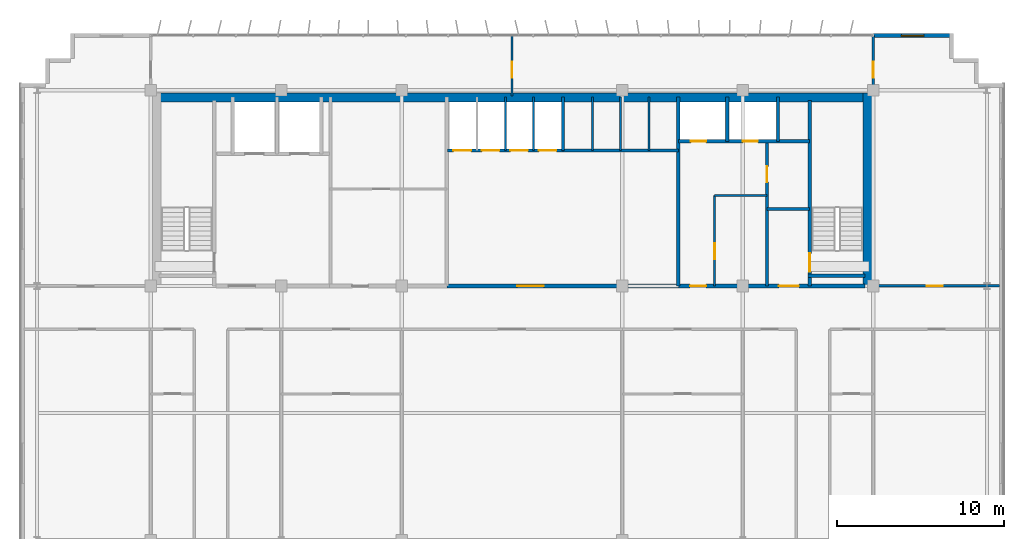
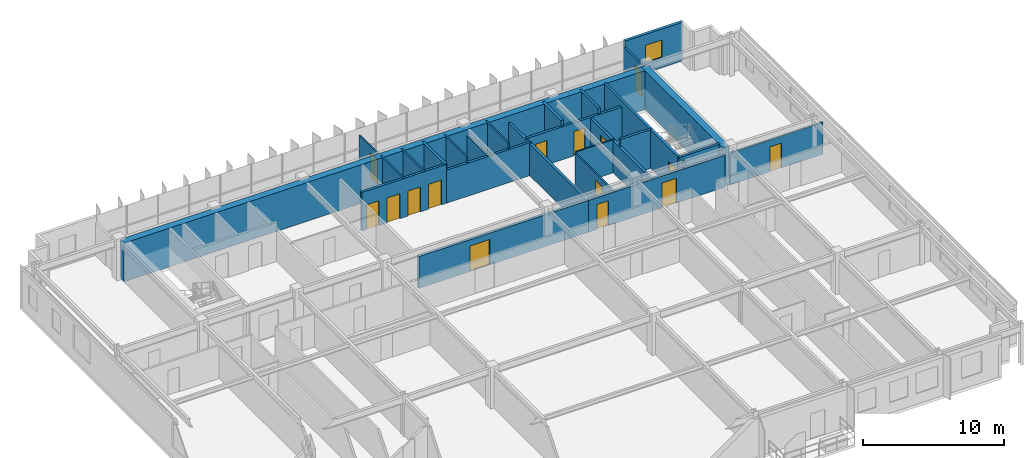
# One storey, part 17 of 20: 26 walls, 15 doors, 1 window, 16 openings.
"""IFC4 building model written with IfcOpenShell, lengths in metres."""

from ifc_helpers import new_model, si_unit, direction, frame, frame_2d, origin, place, context, subcontext, project, spatial, rectangle, extrude, source, transform, mapped, material, layer, layer_set, type_object, element, fill, save


model = new_model("IFC4")

# Units and contexts
model_context = context("Model", 3, precision=1e-05, world=origin(), true_north=direction((0.0, 1.0)))
body_context = subcontext(model_context, "Body", "Model", "MODEL_VIEW")
ifc_project = project(units=[si_unit("LENGTHUNIT", "METRE"), si_unit("AREAUNIT", "SQUARE_METRE"), si_unit("VOLUMEUNIT", "CUBIC_METRE"), si_unit("PLANEANGLEUNIT", "RADIAN"), si_unit("MASSUNIT", "GRAM", prefix="KILO")], contexts=[model_context])

# Site, building, storey
site_placement = place(None, origin())
site = spatial("IfcSite", under=ifc_project, at=site_placement, CompositionType="ELEMENT")
building_placement = place(site_placement, origin())
building = spatial("IfcBuilding", under=site, at=building_placement, Name="Trelvane Seafront Commons", CompositionType="ELEMENT")
storey_placement = place(building_placement, frame((0.0, 0.0, 150.10009765625)))
storey = spatial("IfcBuildingStorey", under=building, at=storey_placement, Name="L39", CompositionType="ELEMENT", Elevation=150.10009765625)

# Wall, opening, window
ifc_material_1 = material(Name="Precast concrete C40/50", Category="concrete")
ifc_layer_1 = layer(ifc_material_1, 0.239990234375, Name="ARCH-WALL-EXT240")
ifc_layer_set_1 = layer_set([ifc_layer_1], Name="Precast concrete C40/50")
wall_type_1 = type_object("IfcWallType", Name="ARCH-WALL-EXT240", PredefinedType="SOLIDWALL", material=ifc_layer_set_1)
wall_1_placement = place(storey_placement, frame((58.800048828125, 48.3701171875, 0.0), z_axis=(0.0, 0.0, 1.0), x_axis=(1.0, 0.0, 0.0)))
wall_1 = element("IfcWall", 1, at=wall_1_placement, inside=storey, type_object=wall_type_1, Name="EW-L39-NE-0759", PredefinedType="SOLIDWALL", context=body_context, shape_type="SweptSolid", body=[
    extrude(rectangle(XDim=4.699951171875, YDim=0.239990234375, at=frame_2d((2.35009765625, 0.0))), origin(), (0.0, 0.0, 1.0), 3.349853515625),
])
opening_1_placement = place(wall_1_placement, frame((1.675048828125, 0.0, 0.89990234375)))
opening_1 = element("IfcOpeningElement", 2, at=opening_1_placement, cuts=wall_1, Name="Opening W09", PredefinedType="OPENING", context=body_context, shape_type="SweptSolid", body=[
    extrude(rectangle(XDim=1.35009765625, YDim=1.5, at=frame_2d((0.675048828125, 0.75))), frame((0.0, 0.1298828125, 0.0), z_axis=(0.0, -1.0, 0.0), x_axis=(1.0, 0.0, 0.0)), (0.0, 0.0, 1.0), 0.260009765625),
])
ifc_material_2 = material(Name="Low-E coastal double glazing", Category="glass")
window_type = type_object("IfcWindowType", Name="ARCH-WIN-W09", PartitioningType="SINGLE_PANEL", PredefinedType="WINDOW", material=ifc_material_2)
shared_shape_1 = source(origin(), body_context, "Body", "SweptSolid", [
    extrude(rectangle(XDim=1.35009765625, YDim=1.5, at=frame_2d((0.675048828125, 0.75))), frame((0.0, 0.030029296875, 0.0), z_axis=(0.0, -1.0, 0.0), x_axis=(1.0, 0.0, 0.0)), (0.0, 0.0, 1.0), 0.06005859375),
])
window_placement = place(opening_1_placement, origin())
window = element("IfcWindow", 3, at=window_placement, inside=storey, type_object=window_type, Name="WIN-L39-00901", OverallHeight=1.5, OverallWidth=1.35009765625, PartitioningType="SINGLE_PANEL", PredefinedType="WINDOW", context=body_context, shape_type="MappedRepresentation", body=[
    mapped(shared_shape_1, transform((0.0, 0.0, 0.0), x_axis=(1.0, 0.0, 0.0), y_axis=(0.0, 1.0, 0.0), z_axis=(0.0, 0.0, 1.0), scale=1.0)),
])
fill(opening_1, window)

# Wall, opening, door
ifc_material_3 = material(Name="Concrete C40/50", Category="concrete")
ifc_layer_2 = layer(ifc_material_3, 0.199951171875, Name="ARCH-WALL-FIRE200")
ifc_layer_set_2 = layer_set([ifc_layer_2], Name="Concrete C40/50")
wall_type_2 = type_object("IfcWallType", Name="ARCH-WALL-FIRE200", PredefinedType="PARTITIONING", material=ifc_layer_set_2)
wall_2_placement = place(storey_placement, frame((52.449951171875, 33.39990234375, 0.0), z_axis=(0.0, 0.0, 1.0), x_axis=(0.0, 1.0, 0.0)))
wall_2 = element("IfcWall", 4, at=wall_2_placement, inside=storey, type_object=wall_type_2, Name="W-L39-ST2V-W-031", PredefinedType="PARTITIONING", context=body_context, shape_type="SweptSolid", body=[
    extrude(rectangle(XDim=8.650146484375, YDim=0.199951171875, at=frame_2d((4.3251953125, 0.0))), origin(), (0.0, 0.0, 1.0), 2.75),
])
opening_2_placement = place(wall_2_placement, frame((6.199951171875, 0.0, 0.0)))
opening_2 = element("IfcOpeningElement", 5, at=opening_2_placement, cuts=wall_2, Name="Opening FD-L39-15", PredefinedType="OPENING", context=body_context, shape_type="SweptSolid", body=[
    extrude(rectangle(XDim=0.949951171875, YDim=2.14990234375, at=frame_2d((0.47509765625, 1.074951171875))), frame((0.0, 0.10986328125, 0.0), z_axis=(0.0, -1.0, 0.0), x_axis=(1.0, 0.0, 0.0)), (0.0, 0.0, 1.0), 0.219970703125),
])
ifc_material_4 = material(Name="Powder-coated aluminium frame", Category="aluminium")
door_type_1 = type_object("IfcDoorType", Name="ARCH-DR-FD60-950", OperationType="NOTDEFINED", PredefinedType="DOOR", material=ifc_material_4)
shared_shape_2 = source(origin(), body_context, "Body", "SweptSolid", [
    extrude(rectangle(XDim=0.949951171875, YDim=2.14990234375, at=frame_2d((0.47509765625, 1.074951171875))), frame((0.0, 0.02490234375, 0.0), z_axis=(0.0, -1.0, 0.0), x_axis=(1.0, 0.0, 0.0)), (0.0, 0.0, 1.0), 0.050048828125),
])
door_1_placement = place(opening_2_placement, origin())
door_1 = element("IfcDoor", 6, at=door_1_placement, inside=storey, type_object=door_type_1, Name="L39 Cleaner Store Door", OperationType="SINGLE_SWING_LEFT", OverallHeight=2.14990234375, OverallWidth=0.949951171875, PredefinedType="DOOR", context=body_context, shape_type="MappedRepresentation", body=[
    mapped(shared_shape_2, transform((0.0, 0.0, 0.0), x_axis=(1.0, 0.0, 0.0), y_axis=(0.0, 1.0, 0.0), z_axis=(0.0, 0.0, 1.0), scale=1.0)),
])
fill(opening_2, door_1)

# Wall
wall_3_placement = place(storey_placement, frame((52.449951171875, 38.0, 0.0), z_axis=(0.0, 0.0, 1.0), x_axis=(1.0, 0.0, 0.0)))
element("IfcWall", 7, at=wall_3_placement, inside=storey, type_object=wall_type_2, Name="W-L39-ST2V-N-032", PredefinedType="PARTITIONING", context=body_context, shape_type="SweptSolid", body=[
    extrude(rectangle(XDim=2.550048828125, YDim=0.199951171875, at=frame_2d((1.27490234375, 0.0))), origin(), (0.0, 0.0, 1.0), 3.349853515625),
])

# Wall, opening, door
ifc_layer_3 = layer(ifc_material_3, 0.25, Name="ARCH-WALL-FIRE250")
ifc_layer_set_3 = layer_set([ifc_layer_3], Name="Concrete C40/50")
wall_type_3 = type_object("IfcWallType", Name="ARCH-WALL-FIRE250", PredefinedType="PARTITIONING", material=ifc_layer_set_3)
wall_4_placement = place(storey_placement, frame((33.300048828125, 33.39990234375, 0.0), z_axis=(0.0, 0.0, 1.0), x_axis=(1.0, 0.0, 0.0)))
wall_4 = element("IfcWall", 8, at=wall_4_placement, inside=storey, type_object=wall_type_3, Name="W-L39-CS-PAX-027", PredefinedType="PARTITIONING", context=body_context, shape_type="SweptSolid", body=[
    extrude(rectangle(XDim=13.849853515625, YDim=0.25, at=frame_2d((6.9248046875, 0.0))), origin(), (0.0, 0.0, 1.0), 2.75),
])
opening_3_placement = place(wall_4_placement, frame((4.199951171875, 0.0, 0.0)))
opening_3 = element("IfcOpeningElement", 9, at=opening_3_placement, cuts=wall_4, Name="Opening FD-L39-12", PredefinedType="OPENING", context=body_context, shape_type="SweptSolid", body=[
    extrude(rectangle(XDim=1.60009765625, YDim=2.199951171875, at=frame_2d((0.800048828125, 1.10009765625))), frame((0.0, 0.135009765625, 0.0), z_axis=(0.0, -1.0, 0.0), x_axis=(1.0, 0.0, 0.0)), (0.0, 0.0, 1.0), 0.27001953125),
])
door_type_2 = type_object("IfcDoorType", Name="ARCH-DR-FD60-1600", OperationType="DOUBLE_DOOR_SINGLE_SWING", PredefinedType="DOOR", material=ifc_material_4)
shared_shape_3 = source(origin(), body_context, "Body", "SweptSolid", [
    extrude(rectangle(XDim=1.60009765625, YDim=2.199951171875, at=frame_2d((0.800048828125, 1.10009765625))), frame((0.0, 0.02490234375, 0.0), z_axis=(0.0, -1.0, 0.0), x_axis=(1.0, 0.0, 0.0)), (0.0, 0.0, 1.0), 0.050048828125),
])
door_2_placement = place(opening_3_placement, origin())
door_2 = element("IfcDoor", 10, at=door_2_placement, inside=storey, type_object=door_type_2, Name="L39 Passenger Lift Lobby Double Door", OperationType="DOUBLE_DOOR_SINGLE_SWING", OverallHeight=2.199951171875, OverallWidth=1.60009765625, PredefinedType="DOOR", context=body_context, shape_type="MappedRepresentation", body=[
    mapped(shared_shape_3, transform((0.0, 0.0, 0.0), x_axis=(1.0, 0.0, 0.0), y_axis=(0.0, 1.0, 0.0), z_axis=(0.0, 0.0, 1.0), scale=1.0)),
])
fill(opening_3, door_2)

# Wall, openings, doors
wall_5_placement = place(storey_placement, frame((47.14990234375, 33.39990234375, 0.0), z_axis=(0.0, 0.0, 1.0), x_axis=(1.0, 0.0, 0.0)))
wall_5 = element("IfcWall", 11, at=wall_5_placement, inside=storey, type_object=wall_type_3, Name="W-L39-CS-EAST-035", PredefinedType="PARTITIONING", context=body_context, shape_type="SweptSolid", body=[
    extrude(rectangle(XDim=11.150146484375, YDim=0.25, at=frame_2d((5.5751953125, 0.0))), origin(), (0.0, 0.0, 1.0), 2.75),
])
opening_4_placement = place(wall_5_placement, frame((0.699951171875, 0.0, 0.0)))
opening_4 = element("IfcOpeningElement", 12, at=opening_4_placement, cuts=wall_5, Name="Opening FD-L39-17", PredefinedType="OPENING", context=body_context, shape_type="SweptSolid", body=[
    extrude(rectangle(XDim=0.949951171875, YDim=2.14990234375, at=frame_2d((0.47509765625, 1.074951171875))), frame((0.0, 0.135009765625, 0.0), z_axis=(0.0, -1.0, 0.0), x_axis=(1.0, 0.0, 0.0)), (0.0, 0.0, 1.0), 0.27001953125),
])
opening_5_placement = place(wall_5_placement, frame((6.0, 0.0, 0.0)))
opening_5 = element("IfcOpeningElement", 13, at=opening_5_placement, cuts=wall_5, Name="Opening FD-L39-18", PredefinedType="OPENING", context=body_context, shape_type="SweptSolid", body=[
    extrude(rectangle(XDim=1.199951171875, YDim=2.14990234375, at=frame_2d((0.60009765625, 1.074951171875))), frame((0.0, 0.135009765625, 0.0), z_axis=(0.0, -1.0, 0.0), x_axis=(1.0, 0.0, 0.0)), (0.0, 0.0, 1.0), 0.27001953125),
])
door_3_placement = place(opening_4_placement, origin())
door_3 = element("IfcDoor", 14, at=door_3_placement, inside=storey, type_object=door_type_1, Name="L39 Core Service Lobby Door", OperationType="SINGLE_SWING_LEFT", OverallHeight=2.14990234375, OverallWidth=0.949951171875, PredefinedType="DOOR", context=body_context, shape_type="MappedRepresentation", body=[
    mapped(shared_shape_2, transform((0.0, 0.0, 0.0), x_axis=(1.0, 0.0, 0.0), y_axis=(0.0, 1.0, 0.0), z_axis=(0.0, 0.0, 1.0), scale=1.0)),
])
fill(opening_4, door_3)
door_type_3 = type_object("IfcDoorType", Name="ARCH-DR-FD60-1200", OperationType="NOTDEFINED", PredefinedType="DOOR", material=ifc_material_4)
shared_shape_4 = source(origin(), body_context, "Body", "SweptSolid", [
    extrude(rectangle(XDim=1.199951171875, YDim=2.14990234375, at=frame_2d((0.60009765625, 1.074951171875))), frame((0.0, 0.02490234375, 0.0), z_axis=(0.0, -1.0, 0.0), x_axis=(1.0, 0.0, 0.0)), (0.0, 0.0, 1.0), 0.050048828125),
])
door_4_placement = place(opening_5_placement, origin())
door_4 = element("IfcDoor", 15, at=door_4_placement, inside=storey, type_object=door_type_3, Name="L39 East Stair Vestibule Fire Door", OperationType="SINGLE_SWING_RIGHT", OverallHeight=2.14990234375, OverallWidth=1.199951171875, PredefinedType="DOOR", context=body_context, shape_type="MappedRepresentation", body=[
    mapped(shared_shape_4, transform((0.0, 0.0, 0.0), x_axis=(1.0, 0.0, 0.0), y_axis=(0.0, 1.0, 0.0), z_axis=(0.0, 0.0, 1.0), scale=1.0)),
])
fill(opening_5, door_4)

# Walls
ifc_material_5 = material(Name="Gypsum Drywall Acoustic Partition")
ifc_layer_4 = layer(ifc_material_5, 0.1201171875, Name="ARCH-WALL-PART120")
ifc_layer_set_4 = layer_set([ifc_layer_4], Name="Gypsum Drywall Acoustic Partition")
wall_type_4 = type_object("IfcWallType", Name="ARCH-WALL-PART120", PredefinedType="PARTITIONING", material=ifc_layer_set_4)
for number, where, z_axis, x_axis, name in (
    (16, (36.800048828125, 41.5, 0.0), (0.0, 0.0, 1.0), (0.0, 1.0, 0.0), "W-L39-PM-DIV2-018"),
    (17, (38.5, 41.5, 0.0), (0.0, 0.0, 1.0), (0.0, 1.0, 0.0), "W-L39-PM-DIV3-019"),
    (18, (42.0, 41.5, 0.0), (0.0, 0.0, 1.0), (0.0, 1.0, 0.0), "W-L39-PH-DIV1-022"),
):
    element("IfcWall", number, at=place(storey_placement, frame(where, z_axis=z_axis, x_axis=x_axis)), inside=storey, type_object=wall_type_4, Name=name, PredefinedType="PARTITIONING", context=body_context, shape_type="SweptSolid", body=[
        extrude(rectangle(XDim=3.199951171875, YDim=0.1201171875, at=frame_2d((1.60009765625, 0.0))), origin(), (0.0, 0.0, 1.0), 3.349853515625),
    ])
wall_6_placement = place(storey_placement, frame((43.699951171875, 41.5, 0.0), z_axis=(0.0, 0.0, 1.0), x_axis=(0.0, 1.0, 0.0)))
element("IfcWall", 19, at=wall_6_placement, inside=storey, type_object=wall_type_4, Name="W-L39-PH-DIV2-023", PredefinedType="PARTITIONING", context=body_context, shape_type="SweptSolid", body=[
    extrude(rectangle(XDim=3.199951171875, YDim=0.1201171875, at=frame_2d((1.60009765625, 0.0))), origin(), (0.0, 0.0, 1.0), 2.849853515625),
])
wall_7_placement = place(storey_placement, frame((45.39990234375, 41.5, 0.0), z_axis=(0.0, 0.0, 1.0), x_axis=(0.0, 1.0, 0.0)))
element("IfcWall", 20, at=wall_7_placement, inside=storey, type_object=wall_type_4, Name="W-L39-PH-DIV3-024", PredefinedType="PARTITIONING", context=body_context, shape_type="SweptSolid", body=[
    extrude(rectangle(XDim=3.199951171875, YDim=0.1201171875, at=frame_2d((1.60009765625, 0.0))), origin(), (0.0, 0.0, 1.0), 3.349853515625),
])

# Wall, opening, door
wall_8_placement = place(storey_placement, frame((49.320068359375, 33.39990234375, 0.0), z_axis=(0.0, 0.0, 1.0), x_axis=(0.0, 1.0, 0.0)))
wall_8 = element("IfcWall", 21, at=wall_8_placement, inside=storey, type_object=wall_type_4, Name="W-L39-CYC2-V-033", PredefinedType="PARTITIONING", context=body_context, shape_type="SweptSolid", body=[
    extrude(rectangle(XDim=5.420166015625, YDim=0.1201171875, at=frame_2d((2.7099609375, 0.0))), origin(), (0.0, 0.0, 1.0), 2.75),
])
opening_6_placement = place(wall_8_placement, frame((1.60009765625, 0.0, 0.0)))
opening_6 = element("IfcOpeningElement", 22, at=opening_6_placement, cuts=wall_8, Name="Opening D-L39-16", PredefinedType="OPENING", context=body_context, shape_type="SweptSolid", body=[
    extrude(rectangle(XDim=0.949951171875, YDim=2.14990234375, at=frame_2d((0.47509765625, 1.074951171875))), frame((0.0, 0.070068359375, 0.0), z_axis=(0.0, -1.0, 0.0), x_axis=(1.0, 0.0, 0.0)), (0.0, 0.0, 1.0), 0.14013671875),
])
ifc_material_6 = material(Name="Acoustic timber door leaf", Category="wood")
door_type_4 = type_object("IfcDoorType", Name="ARCH-DR-INT950", OperationType="NOTDEFINED", PredefinedType="DOOR", material=ifc_material_6)
door_5_placement = place(opening_6_placement, origin())
door_5 = element("IfcDoor", 23, at=door_5_placement, inside=storey, type_object=door_type_4, Name="L39 Accessible WC Door", OperationType="SINGLE_SWING_RIGHT", OverallHeight=2.14990234375, OverallWidth=0.949951171875, PredefinedType="DOOR", context=body_context, shape_type="MappedRepresentation", body=[
    mapped(shared_shape_2, transform((0.0, 0.0, 0.0), x_axis=(1.0, 0.0, 0.0), y_axis=(0.0, 1.0, 0.0), z_axis=(0.0, 0.0, 1.0), scale=1.0)),
])
fill(opening_6, door_5)

# Wall
wall_9_placement = place(storey_placement, frame((49.320068359375, 38.820068359375, 0.0), z_axis=(0.0, 0.0, 1.0), x_axis=(1.0, 0.0, 0.0)))
element("IfcWall", 24, at=wall_9_placement, inside=storey, type_object=wall_type_4, Name="W-L39-CYC2-H-034", PredefinedType="PARTITIONING", context=body_context, shape_type="SweptSolid", body=[
    extrude(rectangle(XDim=3.1298828125, YDim=0.1201171875, at=frame_2d((1.56494140625, 0.0))), origin(), (0.0, 0.0, 1.0), 2.849853515625),
])

# Wall, opening, door
wall_10_placement = place(storey_placement, frame((37.199951171875, 44.75, 0.0), z_axis=(0.0, 0.0, 1.0), x_axis=(0.0, 1.0, 0.0)))
wall_10 = element("IfcWall", 25, at=wall_10_placement, inside=storey, type_object=wall_type_4, Name="W-L39-N-MID-DV-038", PredefinedType="PARTITIONING", context=body_context, shape_type="SweptSolid", body=[
    extrude(rectangle(XDim=3.610107421875, YDim=0.1201171875, at=frame_2d((1.80517578125, 0.0))), origin(), (0.0, 0.0, 1.0), 2.75),
])
opening_7_placement = place(wall_10_placement, frame((1.10009765625, 0.0, 0.0)))
opening_7 = element("IfcOpeningElement", 26, at=opening_7_placement, cuts=wall_10, Name="Opening D-L39-21", PredefinedType="OPENING", context=body_context, shape_type="SweptSolid", body=[
    extrude(rectangle(XDim=0.949951171875, YDim=2.14990234375, at=frame_2d((0.47509765625, 1.074951171875))), frame((0.0, 0.070068359375, 0.0), z_axis=(0.0, -1.0, 0.0), x_axis=(1.0, 0.0, 0.0)), (0.0, 0.0, 1.0), 0.14013671875),
])
door_6_placement = place(opening_7_placement, origin())
door_6 = element("IfcDoor", 27, at=door_6_placement, inside=storey, type_object=door_type_4, Name="L39 Door 21", OperationType="SINGLE_SWING_LEFT", OverallHeight=2.14990234375, OverallWidth=0.949951171875, PredefinedType="DOOR", context=body_context, shape_type="MappedRepresentation", body=[
    mapped(shared_shape_2, transform((0.0, 0.0, 0.0), x_axis=(1.0, 0.0, 0.0), y_axis=(0.0, 1.0, 0.0), z_axis=(0.0, 0.0, 1.0), scale=1.0)),
])
fill(opening_7, door_6)

ifc_layer_5 = layer(ifc_material_5, 0.14990234375, Name="ARCH-WALL-PART150")
ifc_layer_set_5 = layer_set([ifc_layer_5], Name="Gypsum Drywall Acoustic Partition")
wall_type_5 = type_object("IfcWallType", Name="ARCH-WALL-PART150", PredefinedType="PARTITIONING", material=ifc_layer_set_5)
wall_11_placement = place(storey_placement, frame((58.800048828125, 33.39990234375, 0.0), z_axis=(0.0, 0.0, 1.0), x_axis=(1.0, 0.0, 0.0)))
wall_11 = element("IfcWall", 28, at=wall_11_placement, inside=storey, type_object=wall_type_5, Name="W-L39-NE-ENT-037", PredefinedType="PARTITIONING", context=body_context, shape_type="SweptSolid", body=[
    extrude(rectangle(XDim=7.550048828125, YDim=0.14990234375, at=frame_2d((3.77490234375, 0.0))), origin(), (0.0, 0.0, 1.0), 2.75),
])
opening_8_placement = place(wall_11_placement, frame((3.199951171875, 0.0, 0.0)))
opening_8 = element("IfcOpeningElement", 29, at=opening_8_placement, cuts=wall_11, Name="Opening FD-L39-20", PredefinedType="OPENING", context=body_context, shape_type="SweptSolid", body=[
    extrude(rectangle(XDim=0.949951171875, YDim=2.14990234375, at=frame_2d((0.47509765625, 1.074951171875))), frame((0.0, 0.0849609375, 0.0), z_axis=(0.0, -1.0, 0.0), x_axis=(1.0, 0.0, 0.0)), (0.0, 0.0, 1.0), 0.169921875),
])
door_7_placement = place(opening_8_placement, origin())
door_7 = element("IfcDoor", 30, at=door_7_placement, inside=storey, type_object=door_type_1, Name="L39 NE Suite Entrance Door", OperationType="SINGLE_SWING_RIGHT", OverallHeight=2.14990234375, OverallWidth=0.949951171875, PredefinedType="DOOR", context=body_context, shape_type="MappedRepresentation", body=[
    mapped(shared_shape_2, transform((0.0, 0.0, 0.0), x_axis=(1.0, 0.0, 0.0), y_axis=(0.0, 1.0, 0.0), z_axis=(0.0, 0.0, 1.0), scale=1.0)),
])
fill(opening_8, door_7)

wall_12_placement = place(storey_placement, frame((58.800048828125, 44.75, 0.0), z_axis=(0.0, 0.0, 1.0), x_axis=(0.0, 1.0, 0.0)))
wall_12 = element("IfcWall", 31, at=wall_12_placement, inside=storey, type_object=wall_type_5, Name="W-L39-N-LINK-E-040", PredefinedType="PARTITIONING", context=body_context, shape_type="SweptSolid", body=[
    extrude(rectangle(XDim=3.610107421875, YDim=0.14990234375, at=frame_2d((1.80517578125, 0.0))), origin(), (0.0, 0.0, 1.0), 2.849853515625),
])
opening_9_placement = place(wall_12_placement, frame((1.10009765625, 0.0, 0.0)))
opening_9 = element("IfcOpeningElement", 32, at=opening_9_placement, cuts=wall_12, Name="Opening FD-L39-23", PredefinedType="OPENING", context=body_context, shape_type="SweptSolid", body=[
    extrude(rectangle(XDim=0.949951171875, YDim=2.14990234375, at=frame_2d((0.47509765625, 1.074951171875))), frame((0.0, 0.0849609375, 0.0), z_axis=(0.0, -1.0, 0.0), x_axis=(1.0, 0.0, 0.0)), (0.0, 0.0, 1.0), 0.169921875),
])
door_8_placement = place(opening_9_placement, origin())
door_8 = element("IfcDoor", 33, at=door_8_placement, inside=storey, type_object=door_type_1, Name="L39 Door 23", OperationType="SINGLE_SWING_LEFT", OverallHeight=2.14990234375, OverallWidth=0.949951171875, PredefinedType="DOOR", context=body_context, shape_type="MappedRepresentation", body=[
    mapped(shared_shape_2, transform((0.0, 0.0, 0.0), x_axis=(1.0, 0.0, 0.0), y_axis=(0.0, 1.0, 0.0), z_axis=(0.0, 0.0, 1.0), scale=1.0)),
])
fill(opening_9, door_8)

# Wall, openings, doors
ifc_layer_6 = layer(ifc_material_3, 0.199951171875, Name="ARCH-WALL-SHAFT200")
ifc_layer_set_6 = layer_set([ifc_layer_6], Name="Concrete C40/50")
wall_type_6 = type_object("IfcWallType", Name="ARCH-WALL-SHAFT200", PredefinedType="SOLIDWALL", material=ifc_layer_set_6)
wall_13_placement = place(storey_placement, frame((33.35009765625, 41.5, 0.0), z_axis=(0.0, 0.0, 1.0), x_axis=(1.0, 0.0, 0.0)))
wall_13 = element("IfcWall", 34, at=wall_13_placement, inside=storey, type_object=wall_type_6, Name="W-L39-PM-FRONT-016", PredefinedType="SOLIDWALL", context=body_context, shape_type="SweptSolid", body=[
    extrude(rectangle(XDim=6.89990234375, YDim=0.199951171875, at=frame_2d((3.449951171875, 0.0))), origin(), (0.0, 0.0, 1.0), 3.349853515625),
])
opening_10_placement = place(wall_13_placement, frame((0.35009765625, 0.0, 0.0)))
opening_10 = element("IfcOpeningElement", 35, at=opening_10_placement, cuts=wall_13, Name="Opening LD-PM1-L39", PredefinedType="OPENING", context=body_context, shape_type="SweptSolid", body=[
    extrude(rectangle(XDim=1.050048828125, YDim=2.14990234375, at=frame_2d((0.52490234375, 1.074951171875))), frame((0.0, 0.10986328125, 0.0), z_axis=(0.0, -1.0, 0.0), x_axis=(1.0, 0.0, 0.0)), (0.0, 0.0, 1.0), 0.219970703125),
])
opening_11_placement = place(wall_13_placement, frame((2.050048828125, 0.0, 0.0)))
opening_11 = element("IfcOpeningElement", 36, at=opening_11_placement, cuts=wall_13, Name="Opening LD-PM2-L39", PredefinedType="OPENING", context=body_context, shape_type="SweptSolid", body=[
    extrude(rectangle(XDim=1.050048828125, YDim=2.14990234375, at=frame_2d((0.52490234375, 1.074951171875))), frame((0.0, 0.10986328125, 0.0), z_axis=(0.0, -1.0, 0.0), x_axis=(1.0, 0.0, 0.0)), (0.0, 0.0, 1.0), 0.219970703125),
])
opening_12_placement = place(wall_13_placement, frame((3.75, 0.0, 0.0)))
opening_12 = element("IfcOpeningElement", 37, at=opening_12_placement, cuts=wall_13, Name="Opening LD-PM3-L39", PredefinedType="OPENING", context=body_context, shape_type="SweptSolid", body=[
    extrude(rectangle(XDim=1.050048828125, YDim=2.14990234375, at=frame_2d((0.52490234375, 1.074951171875))), frame((0.0, 0.10986328125, 0.0), z_axis=(0.0, -1.0, 0.0), x_axis=(1.0, 0.0, 0.0)), (0.0, 0.0, 1.0), 0.219970703125),
])
opening_13_placement = place(wall_13_placement, frame((5.449951171875, 0.0, 0.0)))
opening_13 = element("IfcOpeningElement", 38, at=opening_13_placement, cuts=wall_13, Name="Opening LD-PM4-L39", PredefinedType="OPENING", context=body_context, shape_type="SweptSolid", body=[
    extrude(rectangle(XDim=1.050048828125, YDim=2.14990234375, at=frame_2d((0.52490234375, 1.074951171875))), frame((0.0, 0.10986328125, 0.0), z_axis=(0.0, -1.0, 0.0), x_axis=(1.0, 0.0, 0.0)), (0.0, 0.0, 1.0), 0.219970703125),
])
ifc_material_7 = material(Name="Stainless steel balustrade", Category="steel")
door_type_5 = type_object("IfcDoorType", Name="ARCH-DR-LD1050", OperationType="DOUBLE_DOOR_SLIDING", PredefinedType="DOOR", material=ifc_material_7)
shared_shape_5 = source(origin(), body_context, "Body", "SweptSolid", [
    extrude(rectangle(XDim=1.050048828125, YDim=2.14990234375, at=frame_2d((0.52490234375, 1.074951171875))), frame((0.0, 0.02490234375, 0.0), z_axis=(0.0, -1.0, 0.0), x_axis=(1.0, 0.0, 0.0)), (0.0, 0.0, 1.0), 0.050048828125),
])
door_9_placement = place(opening_10_placement, origin())
door_9 = element("IfcDoor", 39, at=door_9_placement, inside=storey, type_object=door_type_5, Name="L39 Passenger Lift PM-1 Landing Door", OperationType="DOUBLE_DOOR_SLIDING", OverallHeight=2.14990234375, OverallWidth=1.050048828125, PredefinedType="DOOR", context=body_context, shape_type="MappedRepresentation", body=[
    mapped(shared_shape_5, transform((0.0, 0.0, 0.0), x_axis=(1.0, 0.0, 0.0), y_axis=(0.0, 1.0, 0.0), z_axis=(0.0, 0.0, 1.0), scale=1.0)),
])
fill(opening_10, door_9)
door_10_placement = place(opening_11_placement, origin())
door_10 = element("IfcDoor", 40, at=door_10_placement, inside=storey, type_object=door_type_5, Name="L39 Passenger Lift PM-2 Landing Door", OperationType="DOUBLE_DOOR_SLIDING", OverallHeight=2.14990234375, OverallWidth=1.050048828125, PredefinedType="DOOR", context=body_context, shape_type="MappedRepresentation", body=[
    mapped(shared_shape_5, transform((0.0, 0.0, 0.0), x_axis=(1.0, 0.0, 0.0), y_axis=(0.0, 1.0, 0.0), z_axis=(0.0, 0.0, 1.0), scale=1.0)),
])
fill(opening_11, door_10)
door_11_placement = place(opening_12_placement, origin())
door_11 = element("IfcDoor", 41, at=door_11_placement, inside=storey, type_object=door_type_5, Name="L39 Passenger Lift PM-3 Landing Door", OperationType="DOUBLE_DOOR_SLIDING", OverallHeight=2.14990234375, OverallWidth=1.050048828125, PredefinedType="DOOR", context=body_context, shape_type="MappedRepresentation", body=[
    mapped(shared_shape_5, transform((0.0, 0.0, 0.0), x_axis=(1.0, 0.0, 0.0), y_axis=(0.0, 1.0, 0.0), z_axis=(0.0, 0.0, 1.0), scale=1.0)),
])
fill(opening_12, door_11)
door_12_placement = place(opening_13_placement, origin())
door_12 = element("IfcDoor", 42, at=door_12_placement, inside=storey, type_object=door_type_5, Name="L39 Passenger Lift PM-4 Landing Door", OperationType="DOUBLE_DOOR_SLIDING", OverallHeight=2.14990234375, OverallWidth=1.050048828125, PredefinedType="DOOR", context=body_context, shape_type="MappedRepresentation", body=[
    mapped(shared_shape_5, transform((0.0, 0.0, 0.0), x_axis=(1.0, 0.0, 0.0), y_axis=(0.0, 1.0, 0.0), z_axis=(0.0, 0.0, 1.0), scale=1.0)),
])
fill(opening_13, door_12)

# Walls
wall_14_placement = place(storey_placement, frame((40.25, 41.5, 0.0), z_axis=(0.0, 0.0, 1.0), x_axis=(1.0, 0.0, 0.0)))
element("IfcWall", 43, at=wall_14_placement, inside=storey, type_object=wall_type_6, Name="W-L39-PH-FRONT-020", PredefinedType="SOLIDWALL", context=body_context, shape_type="SweptSolid", body=[
    extrude(rectangle(XDim=6.89990234375, YDim=0.199951171875, at=frame_2d((3.449951171875, 0.0))), origin(), (0.0, 0.0, 1.0), 2.849853515625),
])
wall_15_placement = place(storey_placement, frame((40.25, 41.5, 0.0), z_axis=(0.0, 0.0, 1.0), x_axis=(0.0, 1.0, 0.0)))
element("IfcWall", 44, at=wall_15_placement, inside=storey, type_object=wall_type_6, Name="W-L39-PH-WEST-SH-021", PredefinedType="SOLIDWALL", context=body_context, shape_type="SweptSolid", body=[
    extrude(rectangle(XDim=3.199951171875, YDim=0.199951171875, at=frame_2d((1.60009765625, 0.0))), origin(), (0.0, 0.0, 1.0), 3.349853515625),
])
wall_16_placement = place(storey_placement, frame((47.14990234375, 33.39990234375, 0.0), z_axis=(0.0, 0.0, 1.0), x_axis=(0.0, 1.0, 0.0)))
element("IfcWall", 45, at=wall_16_placement, inside=storey, type_object=wall_type_6, Name="W-L39-PH-EAST-025", PredefinedType="SOLIDWALL", context=body_context, shape_type="SweptSolid", body=[
    extrude(rectangle(XDim=11.300048828125, YDim=0.199951171875, at=frame_2d((5.64990234375, 0.0))), origin(), (0.0, 0.0, 1.0), 2.75),
])

# Wall, openings, doors
wall_17_placement = place(storey_placement, frame((47.14990234375, 42.050048828125, 0.0), z_axis=(0.0, 0.0, 1.0), x_axis=(1.0, 0.0, 0.0)))
wall_17 = element("IfcWall", 46, at=wall_17_placement, inside=storey, type_object=wall_type_6, Name="W-L39-RSR-S-028", PredefinedType="SOLIDWALL", context=body_context, shape_type="SweptSolid", body=[
    extrude(rectangle(XDim=7.85009765625, YDim=0.199951171875, at=frame_2d((3.925048828125, 0.0))), origin(), (0.0, 0.0, 1.0), 2.849853515625),
])
opening_14_placement = place(wall_17_placement, frame((0.75, 0.0, 0.0)))
opening_14 = element("IfcOpeningElement", 47, at=opening_14_placement, cuts=wall_17, Name="Opening FD-L39-13", PredefinedType="OPENING", context=body_context, shape_type="SweptSolid", body=[
    extrude(rectangle(XDim=0.89990234375, YDim=2.10009765625, at=frame_2d((0.449951171875, 1.050048828125))), frame((0.0, 0.10986328125, 0.0), z_axis=(0.0, -1.0, 0.0), x_axis=(1.0, 0.0, 0.0)), (0.0, 0.0, 1.0), 0.219970703125),
])
opening_15_placement = place(wall_17_placement, frame((3.85009765625, 0.0, 0.0)))
opening_15 = element("IfcOpeningElement", 48, at=opening_15_placement, cuts=wall_17, Name="Opening FD-L39-14", PredefinedType="OPENING", context=body_context, shape_type="SweptSolid", body=[
    extrude(rectangle(XDim=0.89990234375, YDim=2.10009765625, at=frame_2d((0.449951171875, 1.050048828125))), frame((0.0, 0.10986328125, 0.0), z_axis=(0.0, -1.0, 0.0), x_axis=(1.0, 0.0, 0.0)), (0.0, 0.0, 1.0), 0.219970703125),
])
door_type_6 = type_object("IfcDoorType", Name="ARCH-DR-FD60-900", OperationType="NOTDEFINED", PredefinedType="DOOR", material=ifc_material_4)
shared_shape_6 = source(origin(), body_context, "Body", "SweptSolid", [
    extrude(rectangle(XDim=0.89990234375, YDim=2.10009765625, at=frame_2d((0.449951171875, 1.050048828125))), frame((0.0, 0.02490234375, 0.0), z_axis=(0.0, -1.0, 0.0), x_axis=(1.0, 0.0, 0.0)), (0.0, 0.0, 1.0), 0.050048828125),
])
door_13_placement = place(opening_14_placement, origin())
door_13 = element("IfcDoor", 49, at=door_13_placement, inside=storey, type_object=door_type_6, Name="L39 Electrical Riser Access Door", OperationType="SINGLE_SWING_LEFT", OverallHeight=2.10009765625, OverallWidth=0.89990234375, PredefinedType="DOOR", context=body_context, shape_type="MappedRepresentation", body=[
    mapped(shared_shape_6, transform((0.0, 0.0, 0.0), x_axis=(1.0, 0.0, 0.0), y_axis=(0.0, 1.0, 0.0), z_axis=(0.0, 0.0, 1.0), scale=1.0)),
])
fill(opening_14, door_13)
door_14_placement = place(opening_15_placement, origin())
door_14 = element("IfcDoor", 50, at=door_14_placement, inside=storey, type_object=door_type_6, Name="L39 Mechanical Riser Access Door", OperationType="SINGLE_SWING_RIGHT", OverallHeight=2.10009765625, OverallWidth=0.89990234375, PredefinedType="DOOR", context=body_context, shape_type="MappedRepresentation", body=[
    mapped(shared_shape_6, transform((0.0, 0.0, 0.0), x_axis=(1.0, 0.0, 0.0), y_axis=(0.0, 1.0, 0.0), z_axis=(0.0, 0.0, 1.0), scale=1.0)),
])
fill(opening_15, door_14)

# Walls
for number, where, z_axis, x_axis, name in (
    (51, (50.080078125, 42.050048828125, 0.0), (0.0, 0.0, 1.0), (0.0, 1.0, 0.0), "W-L39-RSR-DIV-029"),
    (52, (53.10009765625, 42.050048828125, 0.0), (0.0, 0.0, 1.0), (0.0, 1.0, 0.0), "W-L39-RSR-E-030"),
):
    element("IfcWall", number, at=place(storey_placement, frame(where, z_axis=z_axis, x_axis=x_axis)), inside=storey, type_object=wall_type_6, Name=name, PredefinedType="SOLIDWALL", context=body_context, shape_type="SweptSolid", body=[
        extrude(rectangle(XDim=2.64990234375, YDim=0.199951171875, at=frame_2d((1.324951171875, 0.0))), origin(), (0.0, 0.0, 1.0), 3.349853515625),
    ])
ifc_material_8 = material(Name="Concrete C50/60", Category="concrete")
ifc_layer_7 = layer(ifc_material_8, 0.550048828125, Name="STR-WALL-CORE550")
ifc_layer_set_7 = layer_set([ifc_layer_7], Name="Concrete C50/60")
wall_type_7 = type_object("IfcWallType", Name="STR-WALL-CORE550", PredefinedType="SHEAR", material=ifc_layer_set_7)
wall_18_placement = place(storey_placement, frame((15.64990234375, 44.675048828125, 0.0), z_axis=(0.0, 0.0, 1.0), x_axis=(1.0, 0.0, 0.0)))
element("IfcWall", 53, at=wall_18_placement, inside=storey, type_object=wall_type_7, Name="W-L39-CN-ALL-001", PredefinedType="SHEAR", context=body_context, shape_type="SweptSolid", body=[
    extrude(rectangle(XDim=43.10009765625, YDim=0.550048828125, at=frame_2d((21.550048828125, 0.0))), origin(), (0.0, 0.0, 1.0), 3.349853515625),
])
wall_19_placement = place(storey_placement, frame((58.47509765625, 33.39990234375, 0.0), z_axis=(0.0, 0.0, 1.0), x_axis=(0.0, 1.0, 0.0)))
element("IfcWall", 54, at=wall_19_placement, inside=storey, type_object=wall_type_7, Name="W-L39-CE-END-003", PredefinedType="SHEAR", context=body_context, shape_type="SweptSolid", body=[
    extrude(rectangle(XDim=11.550048828125, YDim=0.550048828125, at=frame_2d((5.77490234375, 0.0))), origin(), (0.0, 0.0, 1.0), 3.349853515625),
])
ifc_layer_8 = layer(ifc_material_8, 0.199951171875, Name="STR-WALL-STAIR200")
ifc_layer_set_8 = layer_set([ifc_layer_8], Name="Concrete C50/60")
wall_type_8 = type_object("IfcWallType", Name="STR-WALL-STAIR200", PredefinedType="SHEAR", material=ifc_layer_set_8)
wall_20_placement = place(storey_placement, frame((54.89990234375, 34.0, 0.0), z_axis=(0.0, 0.0, 1.0), x_axis=(1.0, 0.0, 0.0)))
element("IfcWall", 55, at=wall_20_placement, inside=storey, type_object=wall_type_8, Name="W-L39-ST2-S-006", PredefinedType="SHEAR", context=body_context, shape_type="SweptSolid", body=[
    extrude(rectangle(XDim=3.400146484375, YDim=0.199951171875, at=frame_2d((1.7001953125, 0.0))), origin(), (0.0, 0.0, 1.0), 3.349853515625),
])

# Wall, opening, door
wall_21_placement = place(storey_placement, frame((55.0, 33.39990234375, 0.0), z_axis=(0.0, 0.0, 1.0), x_axis=(0.0, 1.0, 0.0)))
wall_21 = element("IfcWall", 56, at=wall_21_placement, inside=storey, type_object=wall_type_8, Name="W-L39-ST2-W-007", PredefinedType="SHEAR", context=body_context, shape_type="SweptSolid", body=[
    extrude(rectangle(XDim=11.10009765625, YDim=0.199951171875, at=frame_2d((5.550048828125, 0.0))), origin(), (0.0, 0.0, 1.0), 3.349853515625),
])
opening_16_placement = place(wall_21_placement, frame((0.85009765625, 0.0, 0.0)))
opening_16 = element("IfcOpeningElement", 57, at=opening_16_placement, cuts=wall_21, Name="Opening ST-D2-L39", PredefinedType="OPENING", context=body_context, shape_type="SweptSolid", body=[
    extrude(rectangle(XDim=1.10009765625, YDim=2.14990234375, at=frame_2d((0.550048828125, 1.074951171875))), frame((0.0, 0.10986328125, 0.0), z_axis=(0.0, -1.0, 0.0), x_axis=(1.0, 0.0, 0.0)), (0.0, 0.0, 1.0), 0.219970703125),
])
door_type_7 = type_object("IfcDoorType", Name="ARCH-DR-FD90-1100", OperationType="NOTDEFINED", PredefinedType="DOOR", material=ifc_material_4)
shared_shape_7 = source(origin(), body_context, "Body", "SweptSolid", [
    extrude(rectangle(XDim=1.10009765625, YDim=2.14990234375, at=frame_2d((0.550048828125, 1.074951171875))), frame((0.0, 0.02490234375, 0.0), z_axis=(0.0, -1.0, 0.0), x_axis=(1.0, 0.0, 0.0)), (0.0, 0.0, 1.0), 0.050048828125),
])
door_15_placement = place(opening_16_placement, origin())
door_15 = element("IfcDoor", 58, at=door_15_placement, inside=storey, type_object=door_type_7, Name="L39 Stair ST-2 Vestibule Fire Door", OperationType="SINGLE_SWING_RIGHT", OverallHeight=2.14990234375, OverallWidth=1.10009765625, PredefinedType="DOOR", context=body_context, shape_type="MappedRepresentation", body=[
    mapped(shared_shape_7, transform((0.0, 0.0, 0.0), x_axis=(1.0, 0.0, 0.0), y_axis=(0.0, 1.0, 0.0), z_axis=(0.0, 0.0, 1.0), scale=1.0)),
])
fill(opening_16, door_15)

save(model, "model.ifc")
